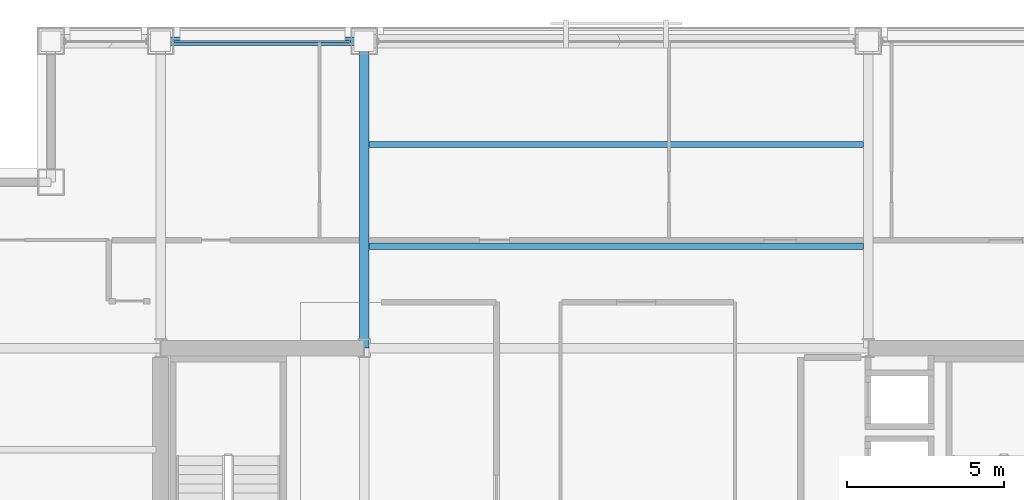
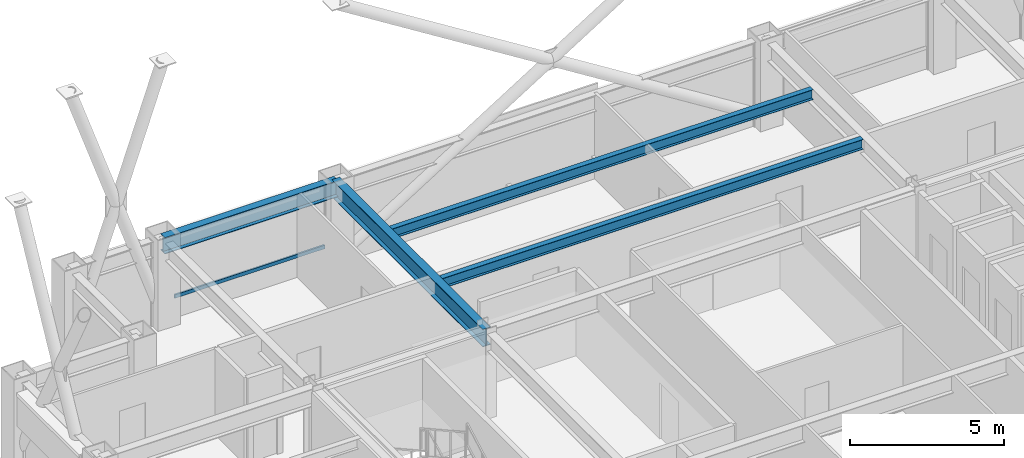
# One storey, part 19 of 32: 4 beams, 1 member, 1 element without a shape of its own.
"""IFC4 building model written with IfcOpenShell, lengths in metres."""

from ifc_helpers import new_model, si_unit, direction, frame, origin, origin_2d, place, context, subcontext, project, spatial, hollow_rectangle, i_section, extrude, material, layer, layer_set, material_profile, profile_set, type_object, element, aggregate, save


model = new_model("IFC4")

# Units and contexts
model_context = context("Model", 3, precision=1e-05, world=origin(), true_north=direction((0.0, 1.0)))
body_context = subcontext(model_context, "Body", "Model", "MODEL_VIEW")
ifc_project = project(units=[si_unit("LENGTHUNIT", "METRE"), si_unit("AREAUNIT", "SQUARE_METRE"), si_unit("VOLUMEUNIT", "CUBIC_METRE"), si_unit("PLANEANGLEUNIT", "RADIAN"), si_unit("MASSUNIT", "GRAM", prefix="KILO")], contexts=[model_context])

# Site, building, storey
site_placement = place(None, origin())
site = spatial("IfcSite", under=ifc_project, at=site_placement, CompositionType="ELEMENT")
building_placement = place(site_placement, origin())
building = spatial("IfcBuilding", under=site, at=building_placement, Name="Brelmoor Portico Tower", CompositionType="ELEMENT")
storey_placement = place(building_placement, frame((0.0, 0.0, 109.800048828125)))
storey = spatial("IfcBuildingStorey", under=building, at=storey_placement, Name="L28", CompositionType="ELEMENT", Elevation=109.800048828125)

# Beams
ifc_material_1 = material(Name="Steel Q355B", Category="steel")
ifc_material_profile_1 = material_profile(ifc_material_1, i_section(OverallWidth=0.199951171875, OverallDepth=0.39990234375, WebThickness=0.008056640625, FlangeThickness=0.012939453125, at=origin_2d()), Name="HN 400x200x8x13")
ifc_profile_set_1 = profile_set([ifc_material_profile_1], Name="Steel Q355B")
beam_type_1 = type_object("IfcBeamType", Name="BM-JS-400", PredefinedType="JOIST", material=ifc_profile_set_1)
for number, where, z_axis, x_axis, name in (
    (1, (-7.89990234375, 13.0, 3.199951171875), (1.0, 0.0, 0.0), (0.0, 1.0, 0.0), "L28 Secondary Composite Joist JS-C03"),
    (2, (-7.89990234375, 16.25, 3.199951171875), (1.0, 0.0, 0.0), (0.0, 1.0, 0.0), "L28 Secondary Composite Joist JS-C04"),
):
    element("IfcBeam", number, at=place(storey_placement, frame(where, z_axis=z_axis, x_axis=x_axis)), inside=storey, type_object=beam_type_1, Name=name, PredefinedType="JOIST", context=body_context, shape_type="SweptSolid", body=[
        extrude(i_section(OverallWidth=0.199951171875, OverallDepth=0.39990234375, WebThickness=0.008056640625, FlangeThickness=0.012939453125, at=origin_2d()), origin(), (0.0, 0.0, 1.0), 15.7998046875),
    ])
ifc_material_profile_2 = material_profile(ifc_material_1, i_section(OverallWidth=0.300048828125, OverallDepth=0.699951171875, WebThickness=0.012939453125, FlangeThickness=0.02392578125, at=origin_2d()), Name="HN 700x300x13x24")
ifc_profile_set_2 = profile_set([ifc_material_profile_2], Name="Steel Q355B")
beam_type_2 = type_object("IfcBeamType", Name="BM-PG-700", PredefinedType="BEAM", material=ifc_profile_set_2)
beam_1_placement = place(storey_placement, frame((-8.050048828125, 9.75, 3.050048828125), z_axis=(0.0, 1.0, 0.0), x_axis=(-1.0, 0.0, 0.0)))
element("IfcBeam", 3, at=beam_1_placement, inside=storey, type_object=beam_type_2, Name="L28 Primary Floor Girder PG-07", PredefinedType="BEAM", context=body_context, shape_type="SweptSolid", body=[
    extrude(i_section(OverallWidth=0.300048828125, OverallDepth=0.699951171875, WebThickness=0.012939453125, FlangeThickness=0.02392578125, at=origin_2d()), origin(), (0.0, 0.0, 1.0), 9.800048828125),
])
ifc_material_profile_3 = material_profile(ifc_material_1, i_section(OverallWidth=0.280029296875, OverallDepth=0.64990234375, WebThickness=0.012939453125, FlangeThickness=0.02197265625, at=origin_2d()), Name="HN 650x280x13x22")
ifc_profile_set_3 = profile_set([ifc_material_profile_3], Name="Steel Q355B")
beam_type_3 = type_object("IfcBeamType", Name="BM-SP-650", PredefinedType="SPANDREL", material=ifc_profile_set_3)
beam_2_placement = place(storey_placement, frame((-14.550048828125, 19.550048828125, 3.074951171875), z_axis=(1.0, 0.0, 0.0), x_axis=(0.0, 1.0, 0.0)))
element("IfcBeam", 4, at=beam_2_placement, inside=storey, type_object=beam_type_3, Name="L28 Perimeter Spandrel Beam SP-11", PredefinedType="SPANDREL", context=body_context, shape_type="SweptSolid", body=[
    extrude(i_section(OverallWidth=0.280029296875, OverallDepth=0.64990234375, WebThickness=0.012939453125, FlangeThickness=0.02197265625, at=origin_2d()), origin(), (0.0, 0.0, 1.0), 6.5),
])

# Curtain wall, member
ifc_material_2 = material(Name="Anodised Aluminium Alloy 6063-T6", Category="aluminium")
ifc_layer = layer(ifc_material_2, 0.179931640625)
ifc_layer_set = layer_set([ifc_layer], Name="Anodised Aluminium Alloy 6063-T6")
curtain_wall_type = type_object("IfcCurtainWallType", Name="CW-TOWER-Z2", PredefinedType="NOTDEFINED", material=ifc_layer_set)
curtain_wall_placement = place(storey_placement, origin())
curtain_wall = element("IfcCurtainWall", 5, at=curtain_wall_placement, inside=storey, type_object=curtain_wall_type, Name="L28 Curtain Wall CW-L28-02-2", PredefinedType="NOTDEFINED")
ifc_material_profile_4 = material_profile(ifc_material_2, hollow_rectangle(XDim=0.06494140625, YDim=0.139892578125, WallThickness=0.00390625, at=origin_2d()), Name="ALU TRANSOM 65x140")
ifc_profile_set_4 = profile_set([ifc_material_profile_4], Name="Anodised Aluminium Alloy 6063-T6")
member_type = type_object("IfcMemberType", Name="MB-CW-TRAN-140", PredefinedType="USERDEFINED", material=ifc_profile_set_4)
member_placement = place(storey_placement, frame((-14.114990234375, 19.550048828125, 0.849853515625), z_axis=(1.0, 0.0, 0.0), x_axis=(0.0, 1.0, 0.0)))
member = element("IfcMember", 6, at=member_placement, type_object=member_type, Name="CW-L28-02-2 Transom 1-00", ObjectType="TRANSOM", PredefinedType="USERDEFINED", context=body_context, shape_type="SweptSolid", body=[
    extrude(hollow_rectangle(XDim=0.06494140625, YDim=0.139892578125, WallThickness=0.00390625, at=origin_2d()), origin(), (0.0, 0.0, 1.0), 5.6298828125),
])
aggregate(curtain_wall, [member])

save(model, "model.ifc")
